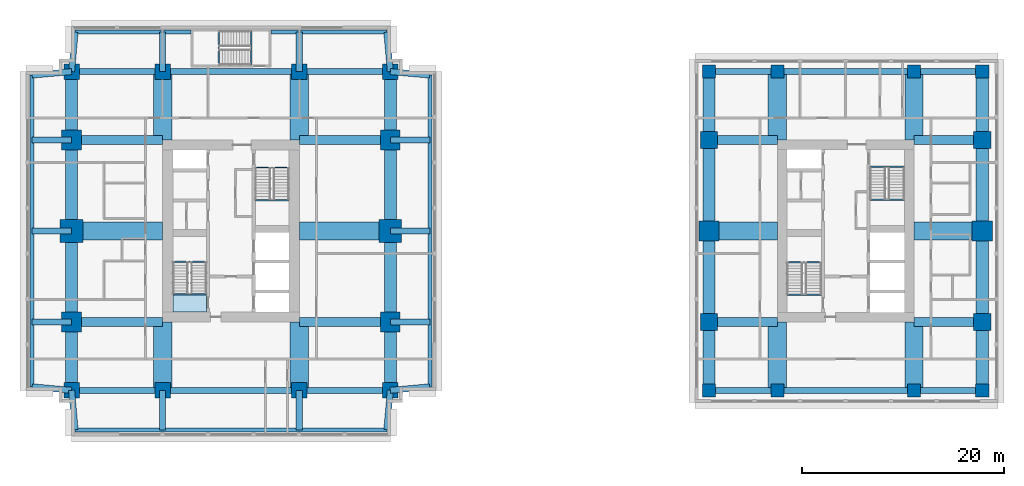
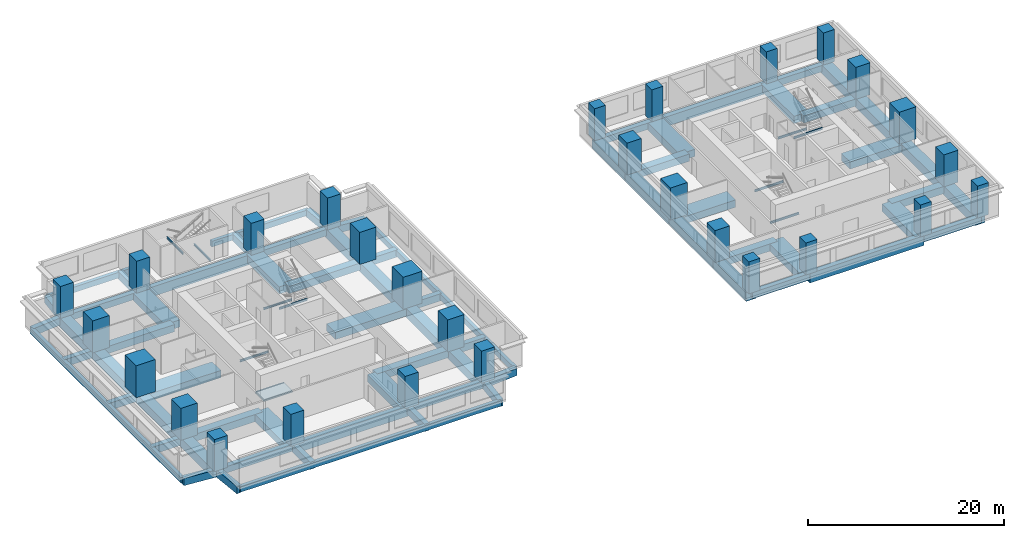
# One storey, part 1 of 11: 81 beams, 28 columns, 1 slab, 1 element without a shape of its own.
"""IFC4 building model written with IfcOpenShell, lengths in metres."""

from ifc_helpers import new_model, si_unit, direction, frame, origin, origin_2d, place, context, subcontext, project, spatial, polyline, rectangle, i_section, outline, extrude, material, layer, layer_set, material_profile, profile_set, type_object, element, aggregate, save


model = new_model("IFC4")

# Units and contexts
model_context = context("Model", 3, precision=1e-05, world=origin(), true_north=direction((0.0, 1.0)))
body_context = subcontext(model_context, "Body", "Model", "MODEL_VIEW")
ifc_project = project(units=[si_unit("LENGTHUNIT", "METRE"), si_unit("AREAUNIT", "SQUARE_METRE"), si_unit("VOLUMEUNIT", "CUBIC_METRE"), si_unit("PLANEANGLEUNIT", "RADIAN"), si_unit("MASSUNIT", "GRAM", prefix="KILO")], contexts=[model_context])

# Site, building, storey
site_placement = place(None, origin())
site = spatial("IfcSite", under=ifc_project, at=site_placement, CompositionType="ELEMENT")
building_placement = place(site_placement, origin())
building = spatial("IfcBuilding", under=site, at=building_placement, Name="Namib Vertical Campus", CompositionType="ELEMENT")
storey_placement = place(building_placement, frame((0.0, 0.0, 205.0)))
storey = spatial("IfcBuildingStorey", under=building, at=storey_placement, Name="L48", CompositionType="ELEMENT", Elevation=205.0)

# Columns
ifc_material_1 = material(Name="Concrete C60/75", Category="concrete")
ifc_material_profile_1 = material_profile(ifc_material_1, rectangle(XDim=1.300048828125, YDim=1.300048828125, at=origin_2d()))
ifc_profile_set_1 = profile_set([ifc_material_profile_1], Name="Concrete C60/75")
column_type_1 = type_object("IfcColumnType", Name="Column RC 1300x1300", PredefinedType="COLUMN", material=ifc_profile_set_1)
for number, where, z_axis, x_axis, name in (
    (1, (67.5, 4.5, 0.0), (0.0, 0.0, 1.0), (1.0, 0.0, 0.0), "Column C130 L48"),
    (2, (74.25, 4.5, 0.0), (0.0, 0.0, 1.0), (1.0, 0.0, 0.0), "Column C130 L48"),
    (3, (87.75, 4.5, 0.0), (0.0, 0.0, 1.0), (1.0, 0.0, 0.0), "Column C130 L48"),
    (4, (94.5, 4.5, 0.0), (0.0, 0.0, 1.0), (1.0, 0.0, 0.0), "Column C130 L48"),
    (5, (67.5, 36.0, 0.0), (0.0, 0.0, 1.0), (1.0, 0.0, 0.0), "Column C130 L48"),
    (6, (74.25, 36.0, 0.0), (0.0, 0.0, 1.0), (1.0, 0.0, 0.0), "Column C130 L48"),
    (7, (87.75, 36.0, 0.0), (0.0, 0.0, 1.0), (1.0, 0.0, 0.0), "Column C130 L48"),
    (8, (94.5, 36.0, 0.0), (0.0, 0.0, 1.0), (1.0, 0.0, 0.0), "Column C130 L48"),
):
    element("IfcColumn", number, at=place(storey_placement, frame(where, z_axis=z_axis, x_axis=x_axis)), inside=storey, type_object=column_type_1, Name=name, PredefinedType="COLUMN", context=body_context, shape_type="SweptSolid", body=[
        extrude(rectangle(XDim=1.300048828125, YDim=1.300048828125, at=origin_2d()), origin(), (0.0, 0.0, 1.0), 4.0),
    ])
ifc_material_2 = material(Name="Concrete C60/75", Category="concrete")
ifc_material_profile_2 = material_profile(ifc_material_2, rectangle(XDim=1.550048828125, YDim=1.550048828125, at=origin_2d()))
ifc_profile_set_2 = profile_set([ifc_material_profile_2], Name="Concrete C60/75")
column_type_2 = type_object("IfcColumnType", Name="Column RC 1550x1550", PredefinedType="COLUMN", material=ifc_profile_set_2)
for number, where, z_axis, x_axis, name in (
    (9, (4.5, 4.5, 0.0), (0.0, 0.0, 1.0), (1.0, 0.0, 0.0), "Column C155 L48"),
    (10, (13.5, 4.5, 0.0), (0.0, 0.0, 1.0), (1.0, 0.0, 0.0), "Column C155 L48"),
    (11, (27.0, 4.5, 0.0), (0.0, 0.0, 1.0), (1.0, 0.0, 0.0), "Column C155 L48"),
    (12, (36.0, 4.5, 0.0), (0.0, 0.0, 1.0), (1.0, 0.0, 0.0), "Column C155 L48"),
    (13, (4.5, 36.0, 0.0), (0.0, 0.0, 1.0), (1.0, 0.0, 0.0), "Column C155 L48"),
    (14, (13.5, 36.0, 0.0), (0.0, 0.0, 1.0), (1.0, 0.0, 0.0), "Column C155 L48"),
    (15, (27.0, 36.0, 0.0), (0.0, 0.0, 1.0), (1.0, 0.0, 0.0), "Column C155 L48"),
    (16, (36.0, 36.0, 0.0), (0.0, 0.0, 1.0), (1.0, 0.0, 0.0), "Column C155 L48"),
):
    element("IfcColumn", number, at=place(storey_placement, frame(where, z_axis=z_axis, x_axis=x_axis)), inside=storey, type_object=column_type_2, Name=name, PredefinedType="COLUMN", context=body_context, shape_type="SweptSolid", body=[
        extrude(rectangle(XDim=1.550048828125, YDim=1.550048828125, at=origin_2d()), origin(), (0.0, 0.0, 1.0), 4.0),
    ])
ifc_material_3 = material(Name="Concrete C60/75", Category="concrete")
ifc_material_profile_3 = material_profile(ifc_material_3, rectangle(XDim=1.699951171875, YDim=1.699951171875, at=origin_2d()))
ifc_profile_set_3 = profile_set([ifc_material_profile_3], Name="Concrete C60/75")
column_type_3 = type_object("IfcColumnType", Name="Column RC 1700x1700", PredefinedType="COLUMN", material=ifc_profile_set_3)
for number, where, z_axis, x_axis, name in (
    (17, (67.5, 11.25, 0.0), (0.0, 0.0, 1.0), (1.0, 0.0, 0.0), "Column C170 L48"),
    (18, (94.5, 11.25, 0.0), (0.0, 0.0, 1.0), (1.0, 0.0, 0.0), "Column C170 L48"),
    (19, (67.5, 29.25, 0.0), (0.0, 0.0, 1.0), (1.0, 0.0, 0.0), "Column C170 L48"),
    (20, (94.5, 29.25, 0.0), (0.0, 0.0, 1.0), (1.0, 0.0, 0.0), "Column C170 L48"),
):
    element("IfcColumn", number, at=place(storey_placement, frame(where, z_axis=z_axis, x_axis=x_axis)), inside=storey, type_object=column_type_3, Name=name, PredefinedType="COLUMN", context=body_context, shape_type="SweptSolid", body=[
        extrude(rectangle(XDim=1.699951171875, YDim=1.699951171875, at=origin_2d()), origin(), (0.0, 0.0, 1.0), 4.0),
    ])
ifc_material_4 = material(Name="Concrete C60/75", Category="concrete")
ifc_material_profile_4 = material_profile(ifc_material_4, rectangle(XDim=1.949951171875, YDim=1.949951171875, at=origin_2d()))
ifc_profile_set_4 = profile_set([ifc_material_profile_4], Name="Concrete C60/75")
column_type_4 = type_object("IfcColumnType", Name="Column RC 1950x1950", PredefinedType="COLUMN", material=ifc_profile_set_4)
for number, where, z_axis, x_axis, name in (
    (21, (4.5, 11.25, 0.0), (0.0, 0.0, 1.0), (1.0, 0.0, 0.0), "Column C195 L48"),
    (22, (36.0, 11.25, 0.0), (0.0, 0.0, 1.0), (1.0, 0.0, 0.0), "Column C195 L48"),
    (23, (4.5, 29.25, 0.0), (0.0, 0.0, 1.0), (1.0, 0.0, 0.0), "Column C195 L48"),
    (24, (36.0, 29.25, 0.0), (0.0, 0.0, 1.0), (1.0, 0.0, 0.0), "Column C195 L48"),
):
    element("IfcColumn", number, at=place(storey_placement, frame(where, z_axis=z_axis, x_axis=x_axis)), inside=storey, type_object=column_type_4, Name=name, PredefinedType="COLUMN", context=body_context, shape_type="SweptSolid", body=[
        extrude(rectangle(XDim=1.949951171875, YDim=1.949951171875, at=origin_2d()), origin(), (0.0, 0.0, 1.0), 4.0),
    ])
ifc_material_5 = material(Name="Concrete C60/75", Category="concrete")
ifc_material_profile_5 = material_profile(ifc_material_5, rectangle(XDim=2.0, YDim=2.0, at=origin_2d()))
ifc_profile_set_5 = profile_set([ifc_material_profile_5], Name="Concrete C60/75")
column_type_5 = type_object("IfcColumnType", Name="Column RC 2000x2000", PredefinedType="COLUMN", material=ifc_profile_set_5)
for number, where, z_axis, x_axis, name in (
    (25, (67.5, 20.25, 0.0), (0.0, 0.0, 1.0), (1.0, 0.0, 0.0), "Column C200 L48"),
    (26, (94.5, 20.25, 0.0), (0.0, 0.0, 1.0), (1.0, 0.0, 0.0), "Column C200 L48"),
):
    element("IfcColumn", number, at=place(storey_placement, frame(where, z_axis=z_axis, x_axis=x_axis)), inside=storey, type_object=column_type_5, Name=name, PredefinedType="COLUMN", context=body_context, shape_type="SweptSolid", body=[
        extrude(rectangle(XDim=2.0, YDim=2.0, at=origin_2d()), origin(), (0.0, 0.0, 1.0), 4.0),
    ])
ifc_material_6 = material(Name="Concrete C60/75", Category="concrete")
ifc_material_profile_6 = material_profile(ifc_material_6, rectangle(XDim=2.25, YDim=2.25, at=origin_2d()))
ifc_profile_set_6 = profile_set([ifc_material_profile_6], Name="Concrete C60/75")
column_type_6 = type_object("IfcColumnType", Name="Column RC 2250x2250", PredefinedType="COLUMN", material=ifc_profile_set_6)
for number, where, z_axis, x_axis, name in (
    (27, (4.5, 20.25, 0.0), (0.0, 0.0, 1.0), (1.0, 0.0, 0.0), "Column C225 L48"),
    (28, (36.0, 20.25, 0.0), (0.0, 0.0, 1.0), (1.0, 0.0, 0.0), "Column C225 L48"),
):
    element("IfcColumn", number, at=place(storey_placement, frame(where, z_axis=z_axis, x_axis=x_axis)), inside=storey, type_object=column_type_6, Name=name, PredefinedType="COLUMN", context=body_context, shape_type="SweptSolid", body=[
        extrude(rectangle(XDim=2.25, YDim=2.25, at=origin_2d()), origin(), (0.0, 0.0, 1.0), 4.0),
    ])

# Beams
ifc_material_7 = material(Name="Concrete C40/50", Category="concrete")
ifc_material_profile_7 = material_profile(ifc_material_7, rectangle(XDim=0.60009765625, YDim=0.89990234375, at=origin_2d()))
ifc_profile_set_7 = profile_set([ifc_material_profile_7], Name="Concrete C40/50")
beam_type_1 = type_object("IfcBeamType", Name="Cantilever girder RC 600x900", PredefinedType="BEAM", material=ifc_profile_set_7)
beam_1_placement = place(storey_placement, frame((4.5, 4.5, -0.699951171875), z_axis=(0.089411326146, -0.995994786511, 0.0), x_axis=(0.995994786511, 0.089411326146, 0.0)))
element("IfcBeam", 29, at=beam_1_placement, inside=storey, type_object=beam_type_1, Name="Beam B3 L48", PredefinedType="BEAM", context=body_context, shape_type="SweptSolid", body=[
    extrude(rectangle(XDim=0.60009765625, YDim=0.89990234375, at=origin_2d()), origin(), (0.0, 0.0, 1.0), 3.91552734375),
])
for number, where, z_axis, x_axis, name in (
    (30, (13.5, 4.5, -0.699951171875), (0.0, -1.0, 0.0), (1.0, 0.0, 0.0), "Beam B3 L48"),
    (31, (27.0, 4.5, -0.699951171875), (0.0, -1.0, 0.0), (1.0, 0.0, 0.0), "Beam B3 L48"),
):
    element("IfcBeam", number, at=place(storey_placement, frame(where, z_axis=z_axis, x_axis=x_axis)), inside=storey, type_object=beam_type_1, Name=name, PredefinedType="BEAM", context=body_context, shape_type="SweptSolid", body=[
        extrude(rectangle(XDim=0.60009765625, YDim=0.89990234375, at=origin_2d()), origin(), (0.0, 0.0, 1.0), 3.89990234375),
    ])
for number, where, z_axis, x_axis, name in (
    (32, (36.0, 4.5, -0.699951171875), (-0.089411326146, -0.995994786511, 0.0), (0.995994786511, -0.089411326146, 0.0), "Beam B3 L48"),
    (33, (4.5, 36.0, -0.699951171875), (0.089411326146, 0.995994786511, 0.0), (-0.995994786511, 0.089411326146, 0.0), "Beam B3 L48"),
):
    element("IfcBeam", number, at=place(storey_placement, frame(where, z_axis=z_axis, x_axis=x_axis)), inside=storey, type_object=beam_type_1, Name=name, PredefinedType="BEAM", context=body_context, shape_type="SweptSolid", body=[
        extrude(rectangle(XDim=0.60009765625, YDim=0.89990234375, at=origin_2d()), origin(), (0.0, 0.0, 1.0), 3.91552734375),
    ])
for number, where, z_axis, x_axis, name in (
    (34, (13.5, 36.0, -0.699951171875), (0.0, 1.0, 0.0), (-1.0, 0.0, 0.0), "Beam B3 L48"),
    (35, (27.0, 36.0, -0.699951171875), (0.0, 1.0, 0.0), (-1.0, 0.0, 0.0), "Beam B3 L48"),
):
    element("IfcBeam", number, at=place(storey_placement, frame(where, z_axis=z_axis, x_axis=x_axis)), inside=storey, type_object=beam_type_1, Name=name, PredefinedType="BEAM", context=body_context, shape_type="SweptSolid", body=[
        extrude(rectangle(XDim=0.60009765625, YDim=0.89990234375, at=origin_2d()), origin(), (0.0, 0.0, 1.0), 3.89990234375),
    ])
for number, where, z_axis, x_axis, name in (
    (36, (36.0, 36.0, -0.699951171875), (-0.089411326146, 0.995994786511, 0.0), (-0.995994786511, -0.089411326146, 0.0), "Beam B3 L48"),
    (37, (4.5, 4.5, -0.699951171875), (-0.995994786511, 0.089411326146, 0.0), (-0.089411326146, -0.995994786511, 0.0), "Beam B3 L48"),
):
    element("IfcBeam", number, at=place(storey_placement, frame(where, z_axis=z_axis, x_axis=x_axis)), inside=storey, type_object=beam_type_1, Name=name, PredefinedType="BEAM", context=body_context, shape_type="SweptSolid", body=[
        extrude(rectangle(XDim=0.60009765625, YDim=0.89990234375, at=origin_2d()), origin(), (0.0, 0.0, 1.0), 3.91552734375),
    ])
for number, where, z_axis, x_axis, name in (
    (38, (4.5, 11.25, -0.699951171875), (-1.0, 0.0, 0.0), (0.0, -1.0, 0.0), "Beam B3 L48"),
    (39, (4.5, 20.25, -0.699951171875), (-1.0, 0.0, 0.0), (0.0, -1.0, 0.0), "Beam B3 L48"),
    (40, (4.5, 29.25, -0.699951171875), (-1.0, 0.0, 0.0), (0.0, -1.0, 0.0), "Beam B3 L48"),
):
    element("IfcBeam", number, at=place(storey_placement, frame(where, z_axis=z_axis, x_axis=x_axis)), inside=storey, type_object=beam_type_1, Name=name, PredefinedType="BEAM", context=body_context, shape_type="SweptSolid", body=[
        extrude(rectangle(XDim=0.60009765625, YDim=0.89990234375, at=origin_2d()), origin(), (0.0, 0.0, 1.0), 3.89990234375),
    ])
for number, where, z_axis, x_axis, name in (
    (41, (4.5, 36.0, -0.699951171875), (-0.995994786511, -0.089411326146, 0.0), (0.089411326146, -0.995994786511, 0.0), "Beam B3 L48"),
    (42, (36.0, 4.5, -0.699951171875), (0.995994786511, 0.089411326146, 0.0), (-0.089411326146, 0.995994786511, 0.0), "Beam B3 L48"),
):
    element("IfcBeam", number, at=place(storey_placement, frame(where, z_axis=z_axis, x_axis=x_axis)), inside=storey, type_object=beam_type_1, Name=name, PredefinedType="BEAM", context=body_context, shape_type="SweptSolid", body=[
        extrude(rectangle(XDim=0.60009765625, YDim=0.89990234375, at=origin_2d()), origin(), (0.0, 0.0, 1.0), 3.91552734375),
    ])
for number, where, z_axis, x_axis, name in (
    (43, (36.0, 11.25, -0.699951171875), (1.0, 0.0, 0.0), (0.0, 1.0, 0.0), "Beam B3 L48"),
    (44, (36.0, 20.25, -0.699951171875), (1.0, 0.0, 0.0), (0.0, 1.0, 0.0), "Beam B3 L48"),
    (45, (36.0, 29.25, -0.699951171875), (1.0, 0.0, 0.0), (0.0, 1.0, 0.0), "Beam B3 L48"),
):
    element("IfcBeam", number, at=place(storey_placement, frame(where, z_axis=z_axis, x_axis=x_axis)), inside=storey, type_object=beam_type_1, Name=name, PredefinedType="BEAM", context=body_context, shape_type="SweptSolid", body=[
        extrude(rectangle(XDim=0.60009765625, YDim=0.89990234375, at=origin_2d()), origin(), (0.0, 0.0, 1.0), 3.89990234375),
    ])
beam_2_placement = place(storey_placement, frame((36.0, 36.0, -0.699951171875), z_axis=(0.995994786511, -0.089411326146, 0.0), x_axis=(0.089411326146, 0.995994786511, 0.0)))
element("IfcBeam", 46, at=beam_2_placement, inside=storey, type_object=beam_type_1, Name="Beam B3 L48", PredefinedType="BEAM", context=body_context, shape_type="SweptSolid", body=[
    extrude(rectangle(XDim=0.60009765625, YDim=0.89990234375, at=origin_2d()), origin(), (0.0, 0.0, 1.0), 3.91552734375),
])
ifc_material_8 = material(Name="Concrete C40/50", Category="concrete")
ifc_material_profile_8 = material_profile(ifc_material_8, rectangle(XDim=0.39990234375, YDim=0.699951171875, at=origin_2d()))
ifc_profile_set_8 = profile_set([ifc_material_profile_8], Name="Concrete C40/50")
beam_type_2 = type_object("IfcBeamType", Name="Edge beam RC 400x700", PredefinedType="SPANDREL", material=ifc_profile_set_8)
beam_3_placement = place(storey_placement, frame((4.85009765625, 0.60009765625, -0.60009765625), z_axis=(1.0, 0.0, 0.0), x_axis=(0.0, 1.0, 0.0)))
element("IfcBeam", 47, at=beam_3_placement, inside=storey, type_object=beam_type_2, Name="Beam B4 L48", PredefinedType="SPANDREL", context=body_context, shape_type="SweptSolid", body=[
    extrude(rectangle(XDim=0.39990234375, YDim=0.699951171875, at=origin_2d()), origin(), (0.0, 0.0, 1.0), 30.7998046875),
])
for number, where, z_axis, x_axis, name in (
    (48, (4.85009765625, 39.89990234375, -0.60009765625), (1.0, 0.0, 0.0), (0.0, 1.0, 0.0), "Beam B4 L48"),
    (49, (24.199951171875, 39.89990234375, -0.60009765625), (1.0, 0.0, 0.0), (0.0, 1.0, 0.0), "Beam B4 L48"),
):
    element("IfcBeam", number, at=place(storey_placement, frame(where, z_axis=z_axis, x_axis=x_axis)), inside=storey, type_object=beam_type_2, Name=name, PredefinedType="SPANDREL", context=body_context, shape_type="SweptSolid", body=[
        extrude(rectangle(XDim=0.39990234375, YDim=0.699951171875, at=origin_2d()), origin(), (0.0, 0.0, 1.0), 11.449951171875),
    ])
for number, where, z_axis, x_axis, name in (
    (50, (0.60009765625, 4.85009765625, -0.60009765625), (0.0, 1.0, 0.0), (-1.0, 0.0, 0.0), "Beam B4 L48"),
    (51, (39.89990234375, 4.85009765625, -0.60009765625), (0.0, 1.0, 0.0), (-1.0, 0.0, 0.0), "Beam B4 L48"),
):
    element("IfcBeam", number, at=place(storey_placement, frame(where, z_axis=z_axis, x_axis=x_axis)), inside=storey, type_object=beam_type_2, Name=name, PredefinedType="SPANDREL", context=body_context, shape_type="SweptSolid", body=[
        extrude(rectangle(XDim=0.39990234375, YDim=0.699951171875, at=origin_2d()), origin(), (0.0, 0.0, 1.0), 30.7998046875),
    ])
ifc_material_9 = material(Name="Concrete C40/50", Category="concrete")
ifc_material_profile_9 = material_profile(ifc_material_9, rectangle(XDim=0.89990234375, YDim=0.89990234375, at=origin_2d()))
ifc_profile_set_9 = profile_set([ifc_material_profile_9], Name="Concrete C40/50")
beam_type_3 = type_object("IfcBeamType", Name="Face girder RC 900x900", PredefinedType="BEAM", material=ifc_profile_set_9)
for number, where, z_axis, x_axis, name in (
    (52, (4.5, 11.25, -0.699951171875), (1.0, 0.0, 0.0), (0.0, 1.0, 0.0), "Beam B10 L48"),
    (53, (36.0, 11.25, -0.699951171875), (-1.0, 0.0, 0.0), (0.0, -1.0, 0.0), "Beam B10 L48"),
    (54, (4.5, 29.25, -0.699951171875), (1.0, 0.0, 0.0), (0.0, 1.0, 0.0), "Beam B10 L48"),
    (55, (36.0, 29.25, -0.699951171875), (-1.0, 0.0, 0.0), (0.0, -1.0, 0.0), "Beam B10 L48"),
):
    element("IfcBeam", number, at=place(storey_placement, frame(where, z_axis=z_axis, x_axis=x_axis)), inside=storey, type_object=beam_type_3, Name=name, PredefinedType="BEAM", context=body_context, shape_type="SweptSolid", body=[
        extrude(rectangle(XDim=0.89990234375, YDim=0.89990234375, at=origin_2d()), origin(), (0.0, 0.0, 1.0), 9.0),
    ])
for number, where, z_axis, x_axis, name in (
    (56, (67.5, 11.25, -0.699951171875), (1.0, 0.0, 0.0), (0.0, 1.0, 0.0), "Beam B10 L48"),
    (57, (94.5, 11.25, -0.699951171875), (-1.0, 0.0, 0.0), (0.0, -1.0, 0.0), "Beam B10 L48"),
    (58, (67.5, 29.25, -0.699951171875), (1.0, 0.0, 0.0), (0.0, 1.0, 0.0), "Beam B10 L48"),
    (59, (94.5, 29.25, -0.699951171875), (-1.0, 0.0, 0.0), (0.0, -1.0, 0.0), "Beam B10 L48"),
):
    element("IfcBeam", number, at=place(storey_placement, frame(where, z_axis=z_axis, x_axis=x_axis)), inside=storey, type_object=beam_type_3, Name=name, PredefinedType="BEAM", context=body_context, shape_type="SweptSolid", body=[
        extrude(rectangle(XDim=0.89990234375, YDim=0.89990234375, at=origin_2d()), origin(), (0.0, 0.0, 1.0), 6.75),
    ])
ifc_material_10 = material(Name="Concrete C40/50", Category="concrete")
ifc_material_profile_10 = material_profile(ifc_material_10, rectangle(XDim=1.199951171875, YDim=1.10009765625, at=origin_2d()))
ifc_profile_set_10 = profile_set([ifc_material_profile_10], Name="Concrete C40/50")
beam_type_4 = type_object("IfcBeamType", Name="Face ring beam RC 1200x1100", PredefinedType="BEAM", material=ifc_profile_set_10)
beam_4_placement = place(storey_placement, frame((4.5, 4.5, -0.800048828125), z_axis=(0.0, 1.0, 0.0), x_axis=(-1.0, 0.0, 0.0)))
element("IfcBeam", 60, at=beam_4_placement, inside=storey, type_object=beam_type_4, Name="Beam B11 L48", PredefinedType="BEAM", context=body_context, shape_type="SweptSolid", body=[
    extrude(rectangle(XDim=1.199951171875, YDim=1.10009765625, at=origin_2d()), origin(), (0.0, 0.0, 1.0), 6.75),
])
for number, where, z_axis, x_axis, name in (
    (61, (4.5, 11.25, -0.800048828125), (0.0, 1.0, 0.0), (-1.0, 0.0, 0.0), "Beam B11 L48"),
    (62, (4.5, 20.25, -0.800048828125), (0.0, 1.0, 0.0), (-1.0, 0.0, 0.0), "Beam B11 L48"),
):
    element("IfcBeam", number, at=place(storey_placement, frame(where, z_axis=z_axis, x_axis=x_axis)), inside=storey, type_object=beam_type_4, Name=name, PredefinedType="BEAM", context=body_context, shape_type="SweptSolid", body=[
        extrude(rectangle(XDim=1.199951171875, YDim=1.10009765625, at=origin_2d()), origin(), (0.0, 0.0, 1.0), 9.0),
    ])
for number, where, z_axis, x_axis, name in (
    (63, (4.5, 29.25, -0.800048828125), (0.0, 1.0, 0.0), (-1.0, 0.0, 0.0), "Beam B11 L48"),
    (64, (36.0, 4.5, -0.800048828125), (0.0, 1.0, 0.0), (-1.0, 0.0, 0.0), "Beam B11 L48"),
):
    element("IfcBeam", number, at=place(storey_placement, frame(where, z_axis=z_axis, x_axis=x_axis)), inside=storey, type_object=beam_type_4, Name=name, PredefinedType="BEAM", context=body_context, shape_type="SweptSolid", body=[
        extrude(rectangle(XDim=1.199951171875, YDim=1.10009765625, at=origin_2d()), origin(), (0.0, 0.0, 1.0), 6.75),
    ])
for number, where, z_axis, x_axis, name in (
    (65, (36.0, 11.25, -0.800048828125), (0.0, 1.0, 0.0), (-1.0, 0.0, 0.0), "Beam B11 L48"),
    (66, (36.0, 20.25, -0.800048828125), (0.0, 1.0, 0.0), (-1.0, 0.0, 0.0), "Beam B11 L48"),
):
    element("IfcBeam", number, at=place(storey_placement, frame(where, z_axis=z_axis, x_axis=x_axis)), inside=storey, type_object=beam_type_4, Name=name, PredefinedType="BEAM", context=body_context, shape_type="SweptSolid", body=[
        extrude(rectangle(XDim=1.199951171875, YDim=1.10009765625, at=origin_2d()), origin(), (0.0, 0.0, 1.0), 9.0),
    ])
for number, where, z_axis, x_axis, name in (
    (67, (36.0, 29.25, -0.800048828125), (0.0, 1.0, 0.0), (-1.0, 0.0, 0.0), "Beam B11 L48"),
    (68, (67.5, 4.5, -0.800048828125), (0.0, 1.0, 0.0), (-1.0, 0.0, 0.0), "Beam B11 L48"),
):
    element("IfcBeam", number, at=place(storey_placement, frame(where, z_axis=z_axis, x_axis=x_axis)), inside=storey, type_object=beam_type_4, Name=name, PredefinedType="BEAM", context=body_context, shape_type="SweptSolid", body=[
        extrude(rectangle(XDim=1.199951171875, YDim=1.10009765625, at=origin_2d()), origin(), (0.0, 0.0, 1.0), 6.75),
    ])
for number, where, z_axis, x_axis, name in (
    (69, (67.5, 11.25, -0.800048828125), (0.0, 1.0, 0.0), (-1.0, 0.0, 0.0), "Beam B11 L48"),
    (70, (67.5, 20.25, -0.800048828125), (0.0, 1.0, 0.0), (-1.0, 0.0, 0.0), "Beam B11 L48"),
):
    element("IfcBeam", number, at=place(storey_placement, frame(where, z_axis=z_axis, x_axis=x_axis)), inside=storey, type_object=beam_type_4, Name=name, PredefinedType="BEAM", context=body_context, shape_type="SweptSolid", body=[
        extrude(rectangle(XDim=1.199951171875, YDim=1.10009765625, at=origin_2d()), origin(), (0.0, 0.0, 1.0), 9.0),
    ])
for number, where, z_axis, x_axis, name in (
    (71, (67.5, 29.25, -0.800048828125), (0.0, 1.0, 0.0), (-1.0, 0.0, 0.0), "Beam B11 L48"),
    (72, (94.5, 4.5, -0.800048828125), (0.0, 1.0, 0.0), (-1.0, 0.0, 0.0), "Beam B11 L48"),
):
    element("IfcBeam", number, at=place(storey_placement, frame(where, z_axis=z_axis, x_axis=x_axis)), inside=storey, type_object=beam_type_4, Name=name, PredefinedType="BEAM", context=body_context, shape_type="SweptSolid", body=[
        extrude(rectangle(XDim=1.199951171875, YDim=1.10009765625, at=origin_2d()), origin(), (0.0, 0.0, 1.0), 6.75),
    ])
for number, where, z_axis, x_axis, name in (
    (73, (94.5, 11.25, -0.800048828125), (0.0, 1.0, 0.0), (-1.0, 0.0, 0.0), "Beam B11 L48"),
    (74, (94.5, 20.25, -0.800048828125), (0.0, 1.0, 0.0), (-1.0, 0.0, 0.0), "Beam B11 L48"),
):
    element("IfcBeam", number, at=place(storey_placement, frame(where, z_axis=z_axis, x_axis=x_axis)), inside=storey, type_object=beam_type_4, Name=name, PredefinedType="BEAM", context=body_context, shape_type="SweptSolid", body=[
        extrude(rectangle(XDim=1.199951171875, YDim=1.10009765625, at=origin_2d()), origin(), (0.0, 0.0, 1.0), 9.0),
    ])
beam_5_placement = place(storey_placement, frame((94.5, 29.25, -0.800048828125), z_axis=(0.0, 1.0, 0.0), x_axis=(-1.0, 0.0, 0.0)))
element("IfcBeam", 75, at=beam_5_placement, inside=storey, type_object=beam_type_4, Name="Beam B11 L48", PredefinedType="BEAM", context=body_context, shape_type="SweptSolid", body=[
    extrude(rectangle(XDim=1.199951171875, YDim=1.10009765625, at=origin_2d()), origin(), (0.0, 0.0, 1.0), 6.75),
])
ifc_material_11 = material(Name="Steel S355JR", Category="steel")
ifc_material_profile_11 = material_profile(ifc_material_11, i_section(OverallWidth=0.14599609375, OverallDepth=0.25146484375, WebThickness=0.006103515625, FlangeThickness=0.008544921875, FilletRadius=0.007568359375, at=origin_2d()))
ifc_profile_set_11 = profile_set([ifc_material_profile_11], Name="Steel S355JR")
beam_type_5 = type_object("IfcBeamType", Name="Landing trimmer UB 254x146x31", PredefinedType="BEAM", material=ifc_profile_set_11)
for number, where, z_axis, x_axis, name in (
    (76, (14.5, 13.97705078125, -0.125732421875), (1.0, 0.0, 0.0), (0.0, 1.0, 0.0), "Landing trimmer LT1 A-S1 L48 1"),
    (77, (14.5, 17.203125, 1.874267578125), (1.0, 0.0, 0.0), (0.0, 1.0, 0.0), "Landing trimmer LT1 A-S1 L48 2"),
    (78, (22.64990234375, 26.52294921875, -0.125732421875), (1.0, 0.0, 0.0), (0.0, 1.0, 0.0), "Landing trimmer LT1 A-S2 L48 1"),
    (79, (22.64990234375, 23.296875, 1.874267578125), (1.0, 0.0, 0.0), (0.0, 1.0, 0.0), "Landing trimmer LT1 A-S2 L48 2"),
):
    element("IfcBeam", number, at=place(storey_placement, frame(where, z_axis=z_axis, x_axis=x_axis)), inside=storey, type_object=beam_type_5, Name=name, PredefinedType="BEAM", context=body_context, shape_type="SweptSolid", body=[
        extrude(i_section(OverallWidth=0.14599609375, OverallDepth=0.25146484375, WebThickness=0.006103515625, FlangeThickness=0.008544921875, FilletRadius=0.007568359375, at=origin_2d()), origin(), (0.0, 0.0, 1.0), 3.35009765625),
    ])
for number, where, z_axis, x_axis, name in (
    (80, (75.199951171875, 13.927001953125, -0.125732421875), (1.0, 0.0, 0.0), (0.0, 1.0, 0.0), "Landing trimmer LT1 B-S1 L48 1"),
    (81, (75.199951171875, 17.153076171875, 1.874267578125), (1.0, 0.0, 0.0), (0.0, 1.0, 0.0), "Landing trimmer LT1 B-S1 L48 2"),
    (82, (83.39990234375, 26.572998046875, -0.125732421875), (1.0, 0.0, 0.0), (0.0, 1.0, 0.0), "Landing trimmer LT1 B-S2 L48 1"),
    (83, (83.39990234375, 23.346923828125, 1.874267578125), (1.0, 0.0, 0.0), (0.0, 1.0, 0.0), "Landing trimmer LT1 B-S2 L48 2"),
):
    element("IfcBeam", number, at=place(storey_placement, frame(where, z_axis=z_axis, x_axis=x_axis)), inside=storey, type_object=beam_type_5, Name=name, PredefinedType="BEAM", context=body_context, shape_type="SweptSolid", body=[
        extrude(i_section(OverallWidth=0.14599609375, OverallDepth=0.25146484375, WebThickness=0.006103515625, FlangeThickness=0.008544921875, FilletRadius=0.007568359375, at=origin_2d()), origin(), (0.0, 0.0, 1.0), 3.400146484375),
    ])
for number, where, z_axis, x_axis, name in (
    (84, (22.27294921875, 36.64990234375, -0.125732421875), (0.0, 1.0, 0.0), (-1.0, 0.0, 0.0), "Landing trimmer LT1 A-S3 L48 1"),
    (85, (19.046875, 36.64990234375, 1.874267578125), (0.0, 1.0, 0.0), (-1.0, 0.0, 0.0), "Landing trimmer LT1 A-S3 L48 2"),
):
    element("IfcBeam", number, at=place(storey_placement, frame(where, z_axis=z_axis, x_axis=x_axis)), inside=storey, type_object=beam_type_5, Name=name, PredefinedType="BEAM", context=body_context, shape_type="SweptSolid", body=[
        extrude(i_section(OverallWidth=0.14599609375, OverallDepth=0.25146484375, WebThickness=0.006103515625, FlangeThickness=0.008544921875, FilletRadius=0.007568359375, at=origin_2d()), origin(), (0.0, 0.0, 1.0), 3.35009765625),
    ])
ifc_material_12 = material(Name="Concrete C40/50", Category="concrete")
ifc_material_profile_12 = material_profile(ifc_material_12, rectangle(XDim=0.60009765625, YDim=1.199951171875, at=origin_2d()))
ifc_profile_set_12 = profile_set([ifc_material_profile_12], Name="Concrete C40/50")
beam_type_6 = type_object("IfcBeamType", Name="Long-span ring beam RC 600x1200", PredefinedType="BEAM", material=ifc_profile_set_12)
for number, where, z_axis, x_axis, name in (
    (86, (13.5, 4.5, -0.85009765625), (1.0, 0.0, 0.0), (0.0, 1.0, 0.0), "Beam B9 L48"),
    (87, (13.5, 36.0, -0.85009765625), (1.0, 0.0, 0.0), (0.0, 1.0, 0.0), "Beam B9 L48"),
    (88, (74.25, 4.5, -0.85009765625), (1.0, 0.0, 0.0), (0.0, 1.0, 0.0), "Beam B9 L48"),
    (89, (74.25, 36.0, -0.85009765625), (1.0, 0.0, 0.0), (0.0, 1.0, 0.0), "Beam B9 L48"),
):
    element("IfcBeam", number, at=place(storey_placement, frame(where, z_axis=z_axis, x_axis=x_axis)), inside=storey, type_object=beam_type_6, Name=name, PredefinedType="BEAM", context=body_context, shape_type="SweptSolid", body=[
        extrude(rectangle(XDim=0.60009765625, YDim=1.199951171875, at=origin_2d()), origin(), (0.0, 0.0, 1.0), 13.5),
    ])
ifc_material_13 = material(Name="Concrete C40/50", Category="concrete")
ifc_material_profile_13 = material_profile(ifc_material_13, rectangle(XDim=1.800048828125, YDim=0.89990234375, at=origin_2d()))
ifc_profile_set_13 = profile_set([ifc_material_profile_13], Name="Concrete C40/50")
beam_type_7 = type_object("IfcBeamType", Name="Outrigger line girder RC 1800x900", PredefinedType="BEAM", material=ifc_profile_set_13)
for number, where, z_axis, x_axis, name in (
    (90, (13.5, 4.5, -0.699951171875), (0.0, 1.0, 0.0), (-1.0, 0.0, 0.0), "Beam B12 L48"),
    (91, (13.5, 36.0, -0.699951171875), (0.0, -1.0, 0.0), (1.0, 0.0, 0.0), "Beam B12 L48"),
    (92, (27.0, 4.5, -0.699951171875), (0.0, 1.0, 0.0), (-1.0, 0.0, 0.0), "Beam B12 L48"),
    (93, (27.0, 36.0, -0.699951171875), (0.0, -1.0, 0.0), (1.0, 0.0, 0.0), "Beam B12 L48"),
):
    element("IfcBeam", number, at=place(storey_placement, frame(where, z_axis=z_axis, x_axis=x_axis)), inside=storey, type_object=beam_type_7, Name=name, PredefinedType="BEAM", context=body_context, shape_type="SweptSolid", body=[
        extrude(rectangle(XDim=1.800048828125, YDim=0.89990234375, at=origin_2d()), origin(), (0.0, 0.0, 1.0), 6.75),
    ])
for number, where, z_axis, x_axis, name in (
    (94, (4.5, 20.25, -0.699951171875), (1.0, 0.0, 0.0), (0.0, 1.0, 0.0), "Beam B12 L48"),
    (95, (36.0, 20.25, -0.699951171875), (-1.0, 0.0, 0.0), (0.0, -1.0, 0.0), "Beam B12 L48"),
):
    element("IfcBeam", number, at=place(storey_placement, frame(where, z_axis=z_axis, x_axis=x_axis)), inside=storey, type_object=beam_type_7, Name=name, PredefinedType="BEAM", context=body_context, shape_type="SweptSolid", body=[
        extrude(rectangle(XDim=1.800048828125, YDim=0.89990234375, at=origin_2d()), origin(), (0.0, 0.0, 1.0), 9.0),
    ])
for number, where, z_axis, x_axis, name in (
    (96, (74.25, 4.5, -0.699951171875), (0.0, 1.0, 0.0), (-1.0, 0.0, 0.0), "Beam B12 L48"),
    (97, (74.25, 36.0, -0.699951171875), (0.0, -1.0, 0.0), (1.0, 0.0, 0.0), "Beam B12 L48"),
    (98, (87.75, 4.5, -0.699951171875), (0.0, 1.0, 0.0), (-1.0, 0.0, 0.0), "Beam B12 L48"),
    (99, (87.75, 36.0, -0.699951171875), (0.0, -1.0, 0.0), (1.0, 0.0, 0.0), "Beam B12 L48"),
    (100, (67.5, 20.25, -0.699951171875), (1.0, 0.0, 0.0), (0.0, 1.0, 0.0), "Beam B12 L48"),
    (101, (94.5, 20.25, -0.699951171875), (-1.0, 0.0, 0.0), (0.0, -1.0, 0.0), "Beam B12 L48"),
):
    element("IfcBeam", number, at=place(storey_placement, frame(where, z_axis=z_axis, x_axis=x_axis)), inside=storey, type_object=beam_type_7, Name=name, PredefinedType="BEAM", context=body_context, shape_type="SweptSolid", body=[
        extrude(rectangle(XDim=1.800048828125, YDim=0.89990234375, at=origin_2d()), origin(), (0.0, 0.0, 1.0), 6.75),
    ])
ifc_material_14 = material(Name="Concrete C40/50", Category="concrete")
ifc_material_profile_14 = material_profile(ifc_material_14, rectangle(XDim=0.60009765625, YDim=0.800048828125, at=origin_2d()))
ifc_profile_set_14 = profile_set([ifc_material_profile_14], Name="Concrete C40/50")
beam_type_8 = type_object("IfcBeamType", Name="Ring beam RC 600x800", PredefinedType="BEAM", material=ifc_profile_set_14)
for number, where, z_axis, x_axis, name in (
    (102, (4.5, 4.5, -0.64990234375), (1.0, 0.0, 0.0), (0.0, 1.0, 0.0), "Beam B1 L48"),
    (103, (27.0, 4.5, -0.64990234375), (1.0, 0.0, 0.0), (0.0, 1.0, 0.0), "Beam B1 L48"),
    (104, (4.5, 36.0, -0.64990234375), (1.0, 0.0, 0.0), (0.0, 1.0, 0.0), "Beam B1 L48"),
    (105, (27.0, 36.0, -0.64990234375), (1.0, 0.0, 0.0), (0.0, 1.0, 0.0), "Beam B1 L48"),
):
    element("IfcBeam", number, at=place(storey_placement, frame(where, z_axis=z_axis, x_axis=x_axis)), inside=storey, type_object=beam_type_8, Name=name, PredefinedType="BEAM", context=body_context, shape_type="SweptSolid", body=[
        extrude(rectangle(XDim=0.60009765625, YDim=0.800048828125, at=origin_2d()), origin(), (0.0, 0.0, 1.0), 9.0),
    ])
for number, where, z_axis, x_axis, name in (
    (106, (67.5, 4.5, -0.64990234375), (1.0, 0.0, 0.0), (0.0, 1.0, 0.0), "Beam B1 L48"),
    (107, (87.75, 4.5, -0.64990234375), (1.0, 0.0, 0.0), (0.0, 1.0, 0.0), "Beam B1 L48"),
    (108, (67.5, 36.0, -0.64990234375), (1.0, 0.0, 0.0), (0.0, 1.0, 0.0), "Beam B1 L48"),
    (109, (87.75, 36.0, -0.64990234375), (1.0, 0.0, 0.0), (0.0, 1.0, 0.0), "Beam B1 L48"),
):
    element("IfcBeam", number, at=place(storey_placement, frame(where, z_axis=z_axis, x_axis=x_axis)), inside=storey, type_object=beam_type_8, Name=name, PredefinedType="BEAM", context=body_context, shape_type="SweptSolid", body=[
        extrude(rectangle(XDim=0.60009765625, YDim=0.800048828125, at=origin_2d()), origin(), (0.0, 0.0, 1.0), 6.75),
    ])

# Stair, slab
ifc_material_15 = material(Name="Concrete C40/50 precast", Category="concrete")
stair_type = type_object("IfcStairType", Name="Exit stair 4000 rise 24 risers 3350 wide", PredefinedType="HALF_TURN_STAIR", material=ifc_material_15)
stair_placement = place(storey_placement, origin())
stair = element("IfcStair", 110, at=stair_placement, inside=storey, type_object=stair_type, Name="Exit stair A-S1 L48", PredefinedType="HALF_TURN_STAIR")
ifc_material_16 = material(Name="Concrete C40/50", Category="concrete")
ifc_layer = layer(ifc_material_16, 0.199951171875)
ifc_layer_set = layer_set([ifc_layer], Name="Concrete C40/50")
slab_type = type_object("IfcSlabType", Name="Stair landing 200", PredefinedType="LANDING", material=ifc_layer_set)
slab_placement = place(storey_placement, frame((0.0, 0.0, -0.199951171875)))
slab = element("IfcSlab", 111, at=slab_placement, type_object=slab_type, Name="A-S1 landing 1", PredefinedType="LANDING", context=body_context, shape_type="SweptSolid", body=[
    extrude(outline(polyline([(14.5, 12.25), (17.85009765625, 12.25), (17.85009765625, 13.90380859375), (14.5, 13.90380859375), (14.5, 12.25)])), origin(), (0.0, 0.0, 1.0), 0.199951171875),
])
aggregate(stair, [slab])

save(model, "model.ifc")
